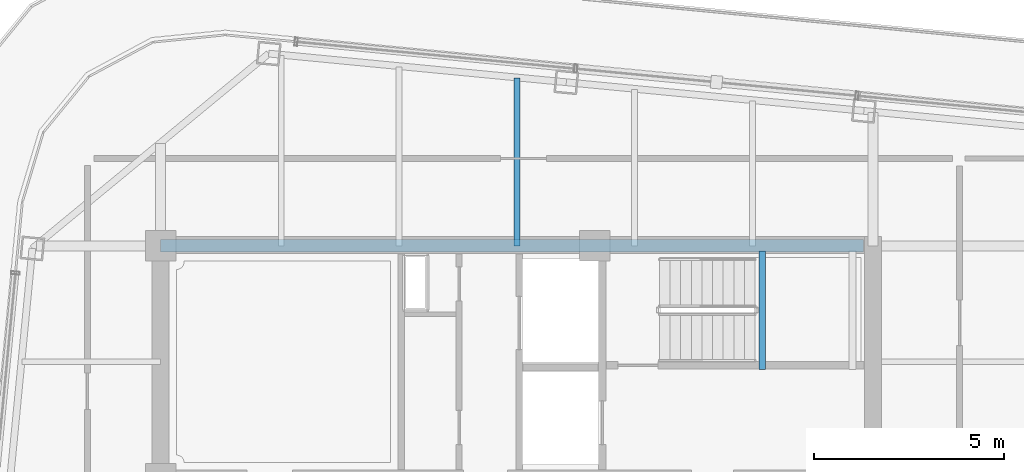
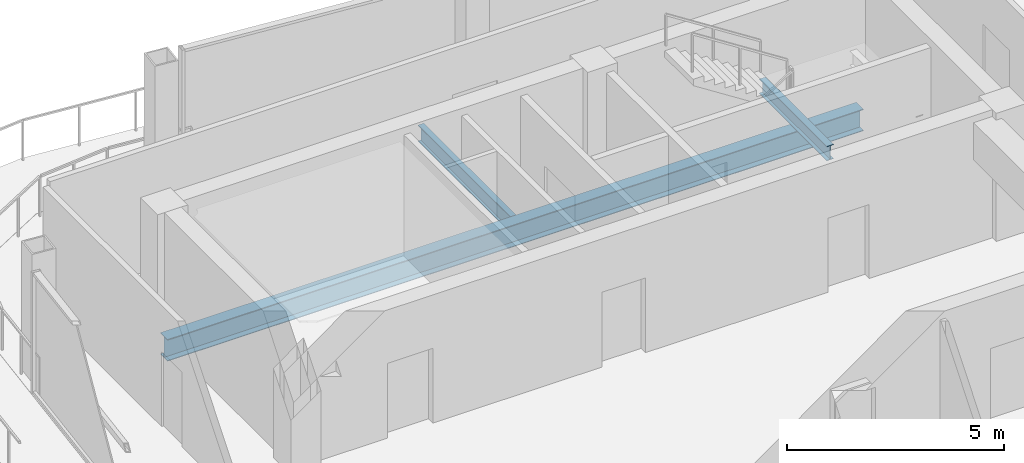
# One storey, part 12 of 23: 3 beams.
"""IFC4 building model written with IfcOpenShell, lengths in metres."""

from ifc_helpers import new_model, si_unit, direction, frame, origin, origin_2d, place, context, subcontext, project, spatial, i_section, extrude, material, material_profile, profile_set, type_object, element, save


model = new_model("IFC4")

# Units and contexts
model_context = context("Model", 3, precision=1e-05, world=origin(), true_north=direction((0.0, 1.0)))
body_context = subcontext(model_context, "Body", "Model", "MODEL_VIEW")
ifc_project = project(units=[si_unit("LENGTHUNIT", "METRE"), si_unit("AREAUNIT", "SQUARE_METRE"), si_unit("VOLUMEUNIT", "CUBIC_METRE"), si_unit("PLANEANGLEUNIT", "RADIAN"), si_unit("MASSUNIT", "GRAM", prefix="KILO")], contexts=[model_context])

# Site, building, storey
site_placement = place(None, origin())
site = spatial("IfcSite", under=ifc_project, at=site_placement, CompositionType="ELEMENT")
building_placement = place(site_placement, origin())
building = spatial("IfcBuilding", under=site, at=building_placement, Name="Qhalaya Broadcast Tower", CompositionType="ELEMENT")
storey_placement = place(building_placement, frame((0.0, 0.0, 276.949951171875)))
storey = spatial("IfcBuildingStorey", under=building, at=storey_placement, Name="L82", CompositionType="ELEMENT", Elevation=276.949951171875)

# Beams
ifc_material = material(Name="Structural Steel ASTM A992 Grade 50", Category="steel")
ifc_material_profile_1 = material_profile(ifc_material, i_section(OverallWidth=0.154052734375, OverallDepth=0.458984375, WebThickness=0.009033203125, FlangeThickness=0.015380859375, at=origin_2d()), Name="W18X46")
ifc_profile_set_1 = profile_set([ifc_material_profile_1], Name="Structural Steel ASTM A992 Grade 50")
beam_type_1 = type_object("IfcBeamType", Name="Composite Floor Joist J04", PredefinedType="JOIST", material=ifc_profile_set_1)
beam_1_placement = place(storey_placement, frame((0.0, 9.949951171875, -0.41943359375), z_axis=(0.0, 1.0, 0.0), x_axis=(-1.0, 0.0, 0.0)))
element("IfcBeam", 1, at=beam_1_placement, inside=storey, type_object=beam_type_1, Name="L82 J04 L82-JNN3-1", PredefinedType="JOIST", context=body_context, shape_type="SweptSolid", body=[
    extrude(i_section(OverallWidth=0.154052734375, OverallDepth=0.458984375, WebThickness=0.009033203125, FlangeThickness=0.015380859375, at=origin_2d()), origin(), (0.0, 0.0, 1.0), 4.411865234375),
])
ifc_material_profile_2 = material_profile(ifc_material, i_section(OverallWidth=0.323974609375, OverallDepth=0.612060546875, WebThickness=0.0126953125, FlangeThickness=0.01904296875, at=origin_2d()), Name="W24X104")
ifc_profile_set_2 = profile_set([ifc_material_profile_2], Name="Structural Steel ASTM A992 Grade 50")
beam_type_2 = type_object("IfcBeamType", Name="Core Frame Tie Beam B04", PredefinedType="BEAM", material=ifc_profile_set_2)
beam_2_placement = place(storey_placement, frame((-9.375, 9.949951171875, -0.495849609375), z_axis=(1.0, 0.0, 0.0), x_axis=(0.0, 1.0, 0.0)))
element("IfcBeam", 2, at=beam_2_placement, inside=storey, type_object=beam_type_2, Name="L82 B04 L82-CCN3", PredefinedType="BEAM", context=body_context, shape_type="SweptSolid", body=[
    extrude(i_section(OverallWidth=0.323974609375, OverallDepth=0.612060546875, WebThickness=0.0126953125, FlangeThickness=0.01904296875, at=origin_2d()), origin(), (0.0, 0.0, 1.0), 18.4951171875),
])
ifc_material_profile_3 = material_profile(ifc_material, i_section(OverallWidth=0.177978515625, OverallDepth=0.406005859375, WebThickness=0.0078125, FlangeThickness=0.0126953125, at=origin_2d()), Name="W16X40")
ifc_profile_set_3 = profile_set([ifc_material_profile_3], Name="Structural Steel ASTM A992 Grade 50")
beam_type_3 = type_object("IfcBeamType", Name="Upper Perimeter Spandrel Beam SP2", PredefinedType="SPANDREL", material=ifc_profile_set_3)
beam_3_placement = place(storey_placement, frame((6.455078125, 6.699951171875, 1.39697265625), z_axis=(0.0, 1.0, 0.0), x_axis=(-1.0, 0.0, 0.0)))
element("IfcBeam", 3, at=beam_3_placement, inside=storey, type_object=beam_type_3, Name="L82 ST-1 Half-Landing Bearer Beam 1", PredefinedType="SPANDREL", context=body_context, shape_type="SweptSolid", body=[
    extrude(i_section(OverallWidth=0.177978515625, OverallDepth=0.406005859375, WebThickness=0.0078125, FlangeThickness=0.0126953125, at=origin_2d()), origin(), (0.0, 0.0, 1.0), 3.1201171875),
])

save(model, "model.ifc")
